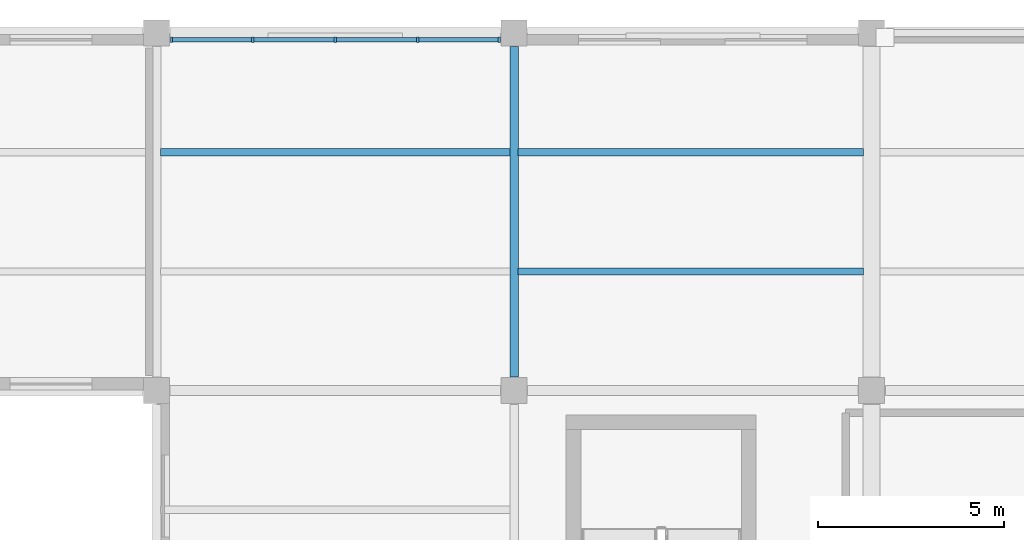
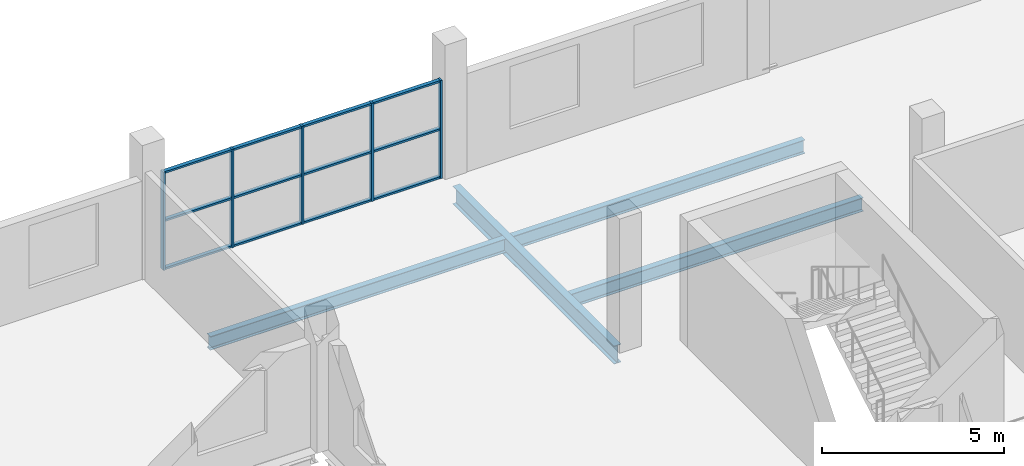
# One storey, part 44 of 92: 17 members, 4 beams, 1 element without a shape of its own.
"""IFC4 building model written with IfcOpenShell, lengths in metres."""

from ifc_helpers import new_model, si_unit, direction, frame, origin, origin_2d, place, context, subcontext, project, spatial, rectangle, i_section, extrude, material, layer, layer_set, material_profile, profile_set, type_object, element, aggregate, save


model = new_model("IFC4")

# Units and contexts
model_context = context("Model", 3, precision=1e-05, world=origin(), true_north=direction((0.0, 1.0)))
body_context = subcontext(model_context, "Body", "Model", "MODEL_VIEW")
ifc_project = project(units=[si_unit("LENGTHUNIT", "METRE"), si_unit("AREAUNIT", "SQUARE_METRE"), si_unit("VOLUMEUNIT", "CUBIC_METRE"), si_unit("PLANEANGLEUNIT", "RADIAN"), si_unit("MASSUNIT", "GRAM", prefix="KILO")], contexts=[model_context])

# Site, building, storey
site_placement = place(None, origin())
site = spatial("IfcSite", under=ifc_project, at=site_placement, CompositionType="ELEMENT")
building_placement = place(site_placement, origin())
building = spatial("IfcBuilding", under=site, at=building_placement, Name="Caelomonte Colonnade Arena", CompositionType="ELEMENT")
storey_placement = place(building_placement, frame((0.0, 0.0, 9.60009765625)))
storey = spatial("IfcBuildingStorey", under=building, at=storey_placement, Name="L02", CompositionType="ELEMENT", Elevation=9.60009765625)

# Curtain wall, members
ifc_material_1 = material(Name="Bronze anodised aluminium and low-E glazing", Category="aluminium")
ifc_layer = layer(ifc_material_1, 0.179931640625)
ifc_layer_set = layer_set([ifc_layer], Name="Bronze anodised aluminium and low-E glazing")
curtain_wall_type = type_object("IfcCurtainWallType", Name="ENV-CW-CW-L02-96-33", PredefinedType="USERDEFINED", material=ifc_layer_set)
curtain_wall_placement = place(storey_placement, origin())
curtain_wall = element("IfcCurtainWall", 1, at=curtain_wall_placement, inside=storey, type_object=curtain_wall_type, Name="L02 unitized curtain wall CW-L02-1488-1438", ObjectType="UNITIZED CURTAIN WALL", PredefinedType="USERDEFINED")
ifc_material_2 = material(Name="Bronze anodised aluminium AA6063-T6", Category="aluminium")
ifc_material_profile_1 = material_profile(ifc_material_2, rectangle(XDim=0.06494140625, YDim=0.14990234375, at=origin_2d()), Name="CWM-65X150")
ifc_profile_set_1 = profile_set([ifc_material_profile_1], Name="Bronze anodised aluminium AA6063-T6")
member_type_1 = type_object("IfcMemberType", Name="ENV-CW-MULL2", PredefinedType="MULLION", material=ifc_profile_set_1)
member_1_placement = place(storey_placement, frame((153.197509765625, 143.820068359375, 0.0), z_axis=(0.0, 0.0, 1.0), x_axis=(-1.0, 0.0, 0.0)))
member_1 = element("IfcMember", 2, at=member_1_placement, type_object=member_type_1, Name="CW-L02-96-33 mullion 1", PredefinedType="MULLION", context=body_context, shape_type="SweptSolid", body=[
    extrude(rectangle(XDim=0.06494140625, YDim=0.14990234375, at=origin_2d()), origin(), (0.0, 0.0, 1.0), 3.29296875),
])
member_2_placement = place(storey_placement, frame((151.014892578125, 143.820068359375, 0.0), z_axis=(0.0, 0.0, 1.0), x_axis=(-1.0, 0.0, 0.0)))
member_2 = element("IfcMember", 3, at=member_2_placement, type_object=member_type_1, Name="CW-L02-96-33 mullion 2", PredefinedType="MULLION", context=body_context, shape_type="SweptSolid", body=[
    extrude(rectangle(XDim=0.06494140625, YDim=0.14990234375, at=origin_2d()), origin(), (0.0, 0.0, 1.0), 3.29296875),
])
member_3_placement = place(storey_placement, frame((148.800048828125, 143.820068359375, 0.0), z_axis=(0.0, 0.0, 1.0), x_axis=(-1.0, 0.0, 0.0)))
member_3 = element("IfcMember", 4, at=member_3_placement, type_object=member_type_1, Name="CW-L02-96-33 mullion 3", PredefinedType="MULLION", context=body_context, shape_type="SweptSolid", body=[
    extrude(rectangle(XDim=0.06494140625, YDim=0.14990234375, at=origin_2d()), origin(), (0.0, 0.0, 1.0), 3.29296875),
])
member_4_placement = place(storey_placement, frame((146.5849609375, 143.820068359375, 0.0), z_axis=(0.0, 0.0, 1.0), x_axis=(-1.0, 0.0, 0.0)))
member_4 = element("IfcMember", 5, at=member_4_placement, type_object=member_type_1, Name="CW-L02-96-33 mullion 4", PredefinedType="MULLION", context=body_context, shape_type="SweptSolid", body=[
    extrude(rectangle(XDim=0.06494140625, YDim=0.14990234375, at=origin_2d()), origin(), (0.0, 0.0, 1.0), 3.29296875),
])
member_5_placement = place(storey_placement, frame((144.402587890625, 143.820068359375, 0.0), z_axis=(0.0, 0.0, 1.0), x_axis=(-1.0, 0.0, 0.0)))
member_5 = element("IfcMember", 6, at=member_5_placement, type_object=member_type_1, Name="CW-L02-96-33 mullion 5", PredefinedType="MULLION", context=body_context, shape_type="SweptSolid", body=[
    extrude(rectangle(XDim=0.06494140625, YDim=0.14990234375, at=origin_2d()), origin(), (0.0, 0.0, 1.0), 3.29296875),
])
ifc_material_profile_2 = material_profile(ifc_material_2, rectangle(XDim=0.06494140625, YDim=0.1201171875, at=origin_2d()), Name="CWT-65X120")
ifc_profile_set_2 = profile_set([ifc_material_profile_2], Name="Bronze anodised aluminium AA6063-T6")
member_type_2 = type_object("IfcMemberType", Name="ENV-CW-TRAN2", PredefinedType="USERDEFINED", material=ifc_profile_set_2)
member_6_placement = place(storey_placement, frame((153.1650390625, 143.820068359375, 0.032470703125), z_axis=(-1.0, 0.0, 0.0), x_axis=(0.0, 0.0, 1.0)))
member_6 = element("IfcMember", 7, at=member_6_placement, type_object=member_type_2, Name="CW-L02-96-33 transom 1.1", ObjectType="TRANSOM", PredefinedType="USERDEFINED", context=body_context, shape_type="SweptSolid", body=[
    extrude(rectangle(XDim=0.06494140625, YDim=0.1201171875, at=origin_2d()), origin(), (0.0, 0.0, 1.0), 2.117431640625),
])
member_7_placement = place(storey_placement, frame((153.1650390625, 143.820068359375, 1.646484375), z_axis=(-1.0, 0.0, 0.0), x_axis=(0.0, 0.0, 1.0)))
member_7 = element("IfcMember", 8, at=member_7_placement, type_object=member_type_2, Name="CW-L02-96-33 transom 1.2", ObjectType="TRANSOM", PredefinedType="USERDEFINED", context=body_context, shape_type="SweptSolid", body=[
    extrude(rectangle(XDim=0.06494140625, YDim=0.1201171875, at=origin_2d()), origin(), (0.0, 0.0, 1.0), 2.117431640625),
])
member_8_placement = place(storey_placement, frame((153.1650390625, 143.820068359375, 3.260498046875), z_axis=(-1.0, 0.0, 0.0), x_axis=(0.0, 0.0, 1.0)))
member_8 = element("IfcMember", 9, at=member_8_placement, type_object=member_type_2, Name="CW-L02-96-33 transom 1.3", ObjectType="TRANSOM", PredefinedType="USERDEFINED", context=body_context, shape_type="SweptSolid", body=[
    extrude(rectangle(XDim=0.06494140625, YDim=0.1201171875, at=origin_2d()), origin(), (0.0, 0.0, 1.0), 2.117431640625),
])
member_9_placement = place(storey_placement, frame((150.982421875, 143.820068359375, 0.032470703125), z_axis=(-1.0, 0.0, 0.0), x_axis=(0.0, 0.0, 1.0)))
member_9 = element("IfcMember", 10, at=member_9_placement, type_object=member_type_2, Name="CW-L02-96-33 transom 2.1", ObjectType="TRANSOM", PredefinedType="USERDEFINED", context=body_context, shape_type="SweptSolid", body=[
    extrude(rectangle(XDim=0.06494140625, YDim=0.1201171875, at=origin_2d()), origin(), (0.0, 0.0, 1.0), 2.14990234375),
])
member_10_placement = place(storey_placement, frame((150.982421875, 143.820068359375, 1.646484375), z_axis=(-1.0, 0.0, 0.0), x_axis=(0.0, 0.0, 1.0)))
member_10 = element("IfcMember", 11, at=member_10_placement, type_object=member_type_2, Name="CW-L02-96-33 transom 2.2", ObjectType="TRANSOM", PredefinedType="USERDEFINED", context=body_context, shape_type="SweptSolid", body=[
    extrude(rectangle(XDim=0.06494140625, YDim=0.1201171875, at=origin_2d()), origin(), (0.0, 0.0, 1.0), 2.14990234375),
])
member_11_placement = place(storey_placement, frame((150.982421875, 143.820068359375, 3.260498046875), z_axis=(-1.0, 0.0, 0.0), x_axis=(0.0, 0.0, 1.0)))
member_11 = element("IfcMember", 12, at=member_11_placement, type_object=member_type_2, Name="CW-L02-96-33 transom 2.3", ObjectType="TRANSOM", PredefinedType="USERDEFINED", context=body_context, shape_type="SweptSolid", body=[
    extrude(rectangle(XDim=0.06494140625, YDim=0.1201171875, at=origin_2d()), origin(), (0.0, 0.0, 1.0), 2.14990234375),
])
member_12_placement = place(storey_placement, frame((148.767578125, 143.820068359375, 0.032470703125), z_axis=(-1.0, 0.0, 0.0), x_axis=(0.0, 0.0, 1.0)))
member_12 = element("IfcMember", 13, at=member_12_placement, type_object=member_type_2, Name="CW-L02-96-33 transom 3.1", ObjectType="TRANSOM", PredefinedType="USERDEFINED", context=body_context, shape_type="SweptSolid", body=[
    extrude(rectangle(XDim=0.06494140625, YDim=0.1201171875, at=origin_2d()), origin(), (0.0, 0.0, 1.0), 2.150146484375),
])
member_13_placement = place(storey_placement, frame((148.767578125, 143.820068359375, 1.646484375), z_axis=(-1.0, 0.0, 0.0), x_axis=(0.0, 0.0, 1.0)))
member_13 = element("IfcMember", 14, at=member_13_placement, type_object=member_type_2, Name="CW-L02-96-33 transom 3.2", ObjectType="TRANSOM", PredefinedType="USERDEFINED", context=body_context, shape_type="SweptSolid", body=[
    extrude(rectangle(XDim=0.06494140625, YDim=0.1201171875, at=origin_2d()), origin(), (0.0, 0.0, 1.0), 2.150146484375),
])
member_14_placement = place(storey_placement, frame((148.767578125, 143.820068359375, 3.260498046875), z_axis=(-1.0, 0.0, 0.0), x_axis=(0.0, 0.0, 1.0)))
member_14 = element("IfcMember", 15, at=member_14_placement, type_object=member_type_2, Name="CW-L02-96-33 transom 3.3", ObjectType="TRANSOM", PredefinedType="USERDEFINED", context=body_context, shape_type="SweptSolid", body=[
    extrude(rectangle(XDim=0.06494140625, YDim=0.1201171875, at=origin_2d()), origin(), (0.0, 0.0, 1.0), 2.150146484375),
])
member_15_placement = place(storey_placement, frame((146.552490234375, 143.820068359375, 0.032470703125), z_axis=(-1.0, 0.0, 0.0), x_axis=(0.0, 0.0, 1.0)))
member_15 = element("IfcMember", 16, at=member_15_placement, type_object=member_type_2, Name="CW-L02-96-33 transom 4.1", ObjectType="TRANSOM", PredefinedType="USERDEFINED", context=body_context, shape_type="SweptSolid", body=[
    extrude(rectangle(XDim=0.06494140625, YDim=0.1201171875, at=origin_2d()), origin(), (0.0, 0.0, 1.0), 2.117431640625),
])
member_16_placement = place(storey_placement, frame((146.552490234375, 143.820068359375, 1.646484375), z_axis=(-1.0, 0.0, 0.0), x_axis=(0.0, 0.0, 1.0)))
member_16 = element("IfcMember", 17, at=member_16_placement, type_object=member_type_2, Name="CW-L02-96-33 transom 4.2", ObjectType="TRANSOM", PredefinedType="USERDEFINED", context=body_context, shape_type="SweptSolid", body=[
    extrude(rectangle(XDim=0.06494140625, YDim=0.1201171875, at=origin_2d()), origin(), (0.0, 0.0, 1.0), 2.117431640625),
])
member_17_placement = place(storey_placement, frame((146.552490234375, 143.820068359375, 3.260498046875), z_axis=(-1.0, 0.0, 0.0), x_axis=(0.0, 0.0, 1.0)))
member_17 = element("IfcMember", 18, at=member_17_placement, type_object=member_type_2, Name="CW-L02-96-33 transom 4.3", ObjectType="TRANSOM", PredefinedType="USERDEFINED", context=body_context, shape_type="SweptSolid", body=[
    extrude(rectangle(XDim=0.06494140625, YDim=0.1201171875, at=origin_2d()), origin(), (0.0, 0.0, 1.0), 2.117431640625),
])
aggregate(curtain_wall, [member_1, member_2, member_3, member_4, member_5, member_6, member_7, member_8, member_9, member_10, member_11, member_12, member_13, member_14, member_15, member_16, member_17])

# Beams
ifc_material_3 = material(Name="Wide-flange steel ASTM A992 Grade 50", Category="steel")
ifc_material_profile_3 = material_profile(ifc_material_3, i_section(OverallWidth=0.228271484375, OverallDepth=0.607177734375, WebThickness=0.01123046875, FlangeThickness=0.017333984375, FilletRadius=0.0126953125, at=origin_2d()), Name="W24X76")
ifc_profile_set_3 = profile_set([ifc_material_profile_3], Name="Wide-flange steel ASTM A992 Grade 50")
beam_type_1 = type_object("IfcBeamType", Name="STR-BM-GIRD24", PredefinedType="BEAM", material=ifc_profile_set_3)
beam_1_placement = place(storey_placement, frame((153.60009765625, 134.76708984375, -0.58349609375), z_axis=(0.0, 1.0, 0.0), x_axis=(-1.0, 0.0, 0.0)))
element("IfcBeam", 19, at=beam_1_placement, inside=storey, type_object=beam_type_1, Name="L02 girder BMY-L02-1536-1344", PredefinedType="BEAM", context=body_context, shape_type="SweptSolid", body=[
    extrude(i_section(OverallWidth=0.228271484375, OverallDepth=0.607177734375, WebThickness=0.01123046875, FlangeThickness=0.017333984375, FilletRadius=0.0126953125, at=origin_2d()), origin(), (0.0, 0.0, 1.0), 8.865966796875),
])
ifc_material_profile_4 = material_profile(ifc_material_3, i_section(OverallWidth=0.1904296875, OverallDepth=0.457275390625, WebThickness=0.009033203125, FlangeThickness=0.014404296875, FilletRadius=0.01025390625, at=origin_2d()), Name="W18X50")
ifc_profile_set_4 = profile_set([ifc_material_profile_4], Name="Wide-flange steel ASTM A992 Grade 50")
beam_type_2 = type_object("IfcBeamType", Name="STR-BM-JOIST18", PredefinedType="JOIST", material=ifc_profile_set_4)
beam_2_placement = place(storey_placement, frame((144.109130859375, 140.800048828125, -0.5087890625), z_axis=(1.0, 0.0, 0.0), x_axis=(0.0, 1.0, 0.0)))
element("IfcBeam", 20, at=beam_2_placement, inside=storey, type_object=beam_type_2, Name="L02 secondary joist 2", PredefinedType="JOIST", context=body_context, shape_type="SweptSolid", body=[
    extrude(i_section(OverallWidth=0.1904296875, OverallDepth=0.457275390625, WebThickness=0.009033203125, FlangeThickness=0.014404296875, FilletRadius=0.01025390625, at=origin_2d()), origin(), (0.0, 0.0, 1.0), 9.381591796875),
])
for number, where, z_axis, x_axis, name in (
    (21, (153.708984375, 137.60009765625, -0.5087890625), (1.0, 0.0, 0.0), (0.0, 1.0, 0.0), "L02 secondary joist 1"),
    (22, (153.708984375, 140.800048828125, -0.5087890625), (1.0, 0.0, 0.0), (0.0, 1.0, 0.0), "L02 secondary joist 2"),
):
    element("IfcBeam", number, at=place(storey_placement, frame(where, z_axis=z_axis, x_axis=x_axis)), inside=storey, type_object=beam_type_2, Name=name, PredefinedType="JOIST", context=body_context, shape_type="SweptSolid", body=[
        extrude(i_section(OverallWidth=0.1904296875, OverallDepth=0.457275390625, WebThickness=0.009033203125, FlangeThickness=0.014404296875, FilletRadius=0.01025390625, at=origin_2d()), origin(), (0.0, 0.0, 1.0), 9.27099609375),
    ])

save(model, "model.ifc")
